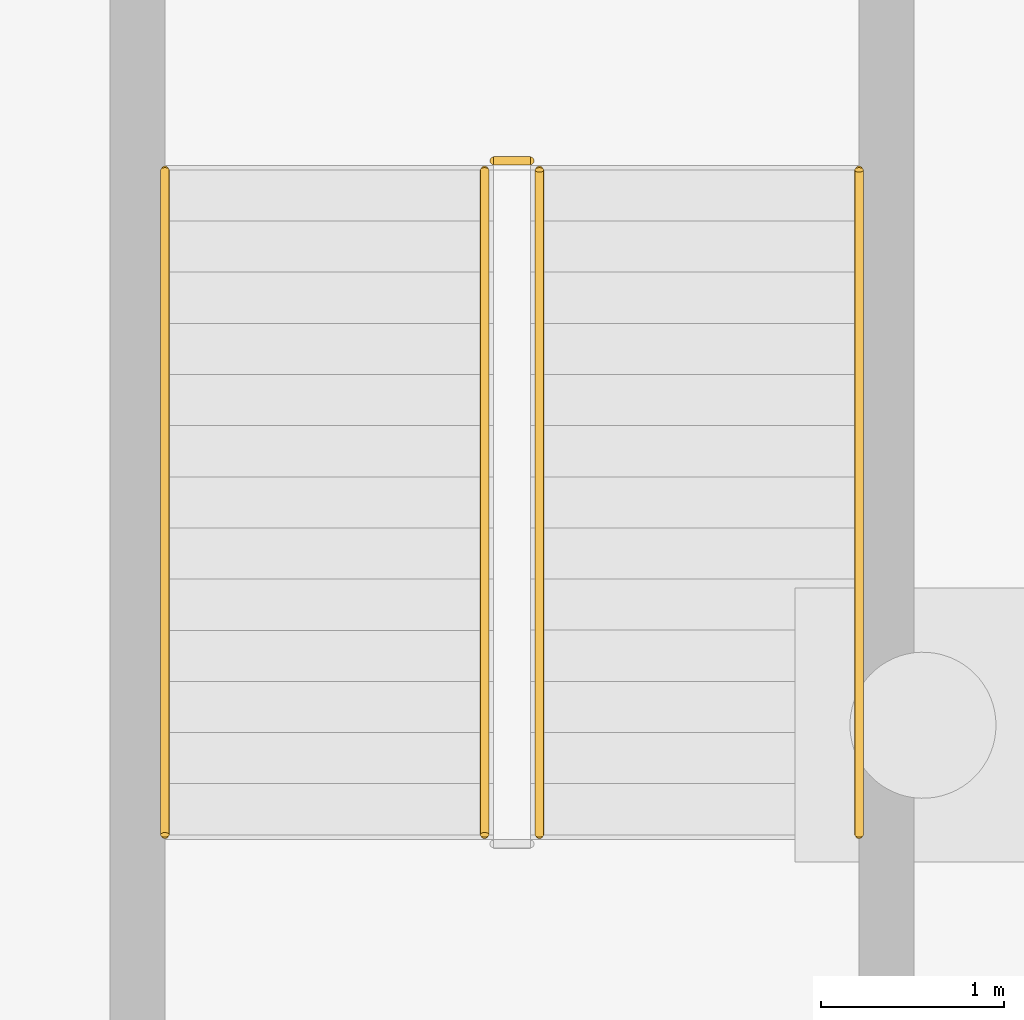
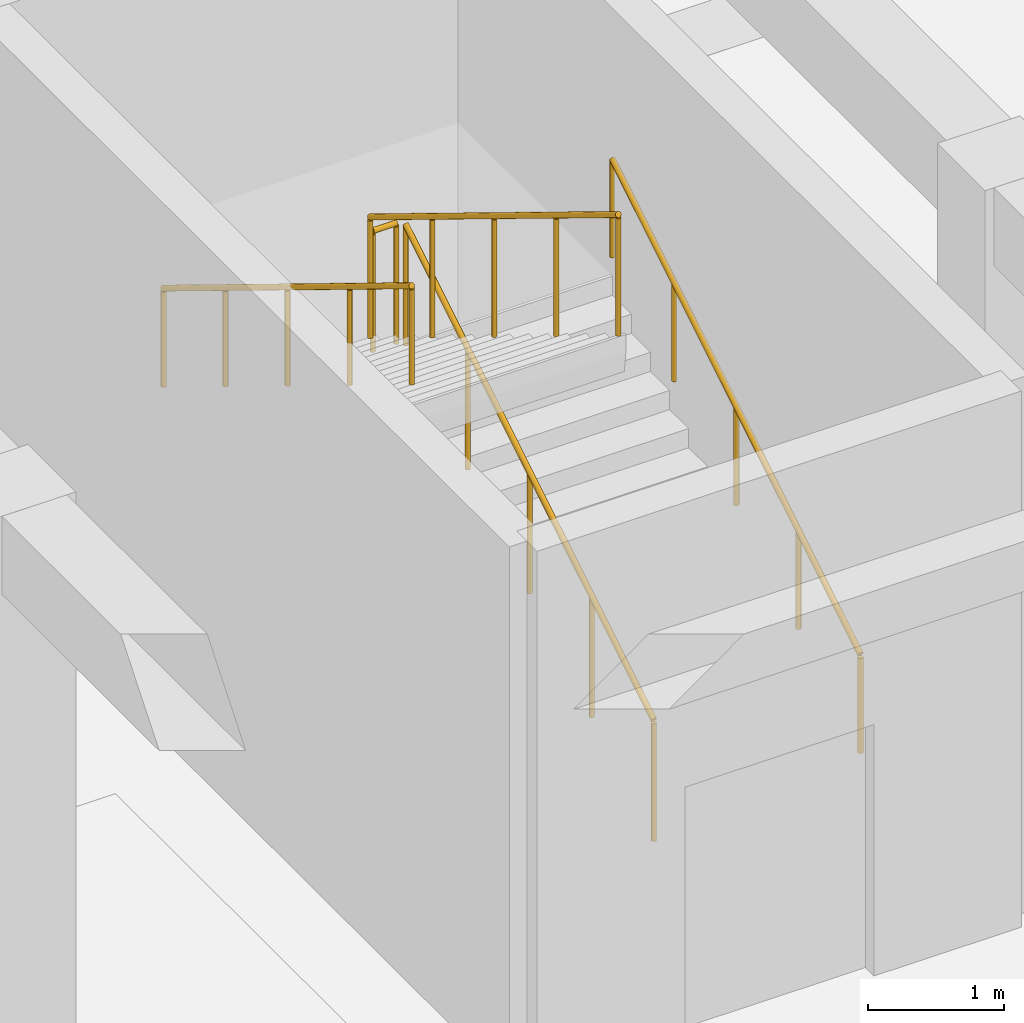
# One storey, part 44 of 51: 5 railings.
"""IFC4 building model written with IfcOpenShell, lengths in metres."""

from ifc_helpers import new_model, si_unit, direction, frame, origin, origin_2d, place, context, subcontext, project, spatial, circle, extrude, material, type_object, element, save


model = new_model("IFC4")

# Units and contexts
model_context = context("Model", 3, precision=1e-05, world=origin(), true_north=direction((0.0, 1.0)))
body_context = subcontext(model_context, "Body", "Model", "MODEL_VIEW")
ifc_project = project(units=[si_unit("LENGTHUNIT", "METRE"), si_unit("AREAUNIT", "SQUARE_METRE"), si_unit("VOLUMEUNIT", "CUBIC_METRE"), si_unit("PLANEANGLEUNIT", "RADIAN"), si_unit("MASSUNIT", "GRAM", prefix="KILO")], contexts=[model_context])

# Site, building, storey
site_placement = place(None, origin())
site = spatial("IfcSite", under=ifc_project, at=site_placement, CompositionType="ELEMENT")
building_placement = place(site_placement, origin())
building = spatial("IfcBuilding", under=site, at=building_placement, Name="Varncliffe General Hospital", CompositionType="ELEMENT")
storey_placement = place(building_placement, frame((0.0, 0.0, -4.800048828125)))
storey = spatial("IfcBuildingStorey", under=building, at=storey_placement, Name="B1", CompositionType="ELEMENT", Elevation=-4.800048828125)

# Railings
ifc_material = material(Name="Powder-coated hospital steel guardrail and handrail", Category="steel")
railing_type_1 = type_object("IfcRailingType", Name="Stair and Ramp Handrail HR46", PredefinedType="HANDRAIL", material=ifc_material)
railing_1_placement = place(storey_placement, frame((74.050048828125, 90.60009765625, 0.346923828125)))
element("IfcRailing", 1, at=railing_1_placement, inside=storey, type_object=railing_type_1, Name="B1 ST12 stair handrail 1", PredefinedType="HANDRAIL", context=body_context, shape_type="SweptSolid", body=[
    extrude(circle(Radius=0.02392578125, at=origin_2d()), frame((0.0, 0.0, 0.8759765625), z_axis=(0.0, 0.852850264322, 0.5221555579), x_axis=(-1.0, 0.0, 0.0)), (0.0, 0.0, 1.0), 4.267822265625),
    extrude(circle(Radius=0.02099609375, at=origin_2d()), origin(), (0.0, 0.0, 1.0), 0.851806640625),
    extrude(circle(Radius=0.02099609375, at=origin_2d()), frame((0.0, 0.909912109375, 0.55712890625)), (0.0, 0.0, 1.0), 0.851806640625),
    extrude(circle(Radius=0.02099609375, at=origin_2d()), frame((0.0, 1.81982421875, 1.1142578125)), (0.0, 0.0, 1.0), 0.851806640625),
    extrude(circle(Radius=0.02099609375, at=origin_2d()), frame((0.0, 2.72998046875, 1.67138671875)), (0.0, 0.0, 1.0), 0.851806640625),
    extrude(circle(Radius=0.02099609375, at=origin_2d()), frame((0.0, 3.639892578125, 2.228515625)), (0.0, 0.0, 1.0), 0.851806640625),
])
railing_2_placement = place(storey_placement, frame((70.25, 94.239990234375, 2.746826171875)))
element("IfcRailing", 2, at=railing_2_placement, inside=storey, type_object=railing_type_1, Name="B1 ST12 stair handrail 2", PredefinedType="HANDRAIL", context=body_context, shape_type="SweptSolid", body=[
    extrude(circle(Radius=0.02392578125, at=origin_2d()), frame((0.0, 0.0, 0.8759765625), z_axis=(0.0, -0.852824790078, 0.522197163366), x_axis=(1.0, 0.0, 0.0)), (0.0, 0.0, 1.0), 4.26806640625),
    extrude(circle(Radius=0.02099609375, at=origin_2d()), origin(), (0.0, 0.0, 1.0), 0.851806640625),
    extrude(circle(Radius=0.02099609375, at=origin_2d()), frame((0.0, -0.909912109375, 0.55712890625)), (0.0, 0.0, 1.0), 0.851806640625),
    extrude(circle(Radius=0.02099609375, at=origin_2d()), frame((0.0, -1.81982421875, 1.1142578125)), (0.0, 0.0, 1.0), 0.851806640625),
    extrude(circle(Radius=0.02099609375, at=origin_2d()), frame((0.0, -2.72998046875, 1.671630859375)), (0.0, 0.0, 1.0), 0.851806640625),
    extrude(circle(Radius=0.02099609375, at=origin_2d()), frame((0.0, -3.639892578125, 2.228759765625)), (0.0, 0.0, 1.0), 0.851806640625),
])
railing_type_2 = type_object("IfcRailingType", Name="Stairwell Guardrail SG49", PredefinedType="GUARDRAIL", material=ifc_material)
railing_3_placement = place(storey_placement, frame((72.300048828125, 90.60009765625, 0.17138671875)))
element("IfcRailing", 3, at=railing_3_placement, inside=storey, type_object=railing_type_2, Name="B1 ST12 stair guard 1", PredefinedType="GUARDRAIL", context=body_context, shape_type="SweptSolid", body=[
    extrude(circle(Radius=0.02392578125, at=origin_2d()), frame((0.0, 0.0, 1.076171875), z_axis=(0.0, 0.852824790078, 0.522197163366), x_axis=(-1.0, 0.0, 0.0)), (0.0, 0.0, 1.0), 4.26806640625),
    extrude(circle(Radius=0.02099609375, at=origin_2d()), origin(), (0.0, 0.0, 1.0), 1.052001953125),
    extrude(circle(Radius=0.02099609375, at=origin_2d()), frame((0.0, 0.909912109375, 0.55712890625)), (0.0, 0.0, 1.0), 1.052001953125),
    extrude(circle(Radius=0.02099609375, at=origin_2d()), frame((0.0, 1.81982421875, 1.1142578125)), (0.0, 0.0, 1.0), 1.052001953125),
    extrude(circle(Radius=0.02099609375, at=origin_2d()), frame((0.0, 2.72998046875, 1.671630859375)), (0.0, 0.0, 1.0), 1.052001953125),
    extrude(circle(Radius=0.02099609375, at=origin_2d()), frame((0.0, 3.639892578125, 2.228759765625)), (0.0, 0.0, 1.0), 1.052001953125),
])
railing_4_placement = place(storey_placement, frame((72.25, 94.2900390625, 2.400146484375)))
element("IfcRailing", 4, at=railing_4_placement, inside=storey, type_object=railing_type_2, Name="B1 ST12 stair guard 2", PredefinedType="GUARDRAIL", context=body_context, shape_type="SweptSolid", body=[
    extrude(circle(Radius=0.02392578125, at=origin_2d()), frame((0.0, 0.0, 1.076171875), z_axis=(-1.0, 0.0, 0.0), x_axis=(0.0, -1.0, 0.0)), (0.0, 0.0, 1.0), 0.199951171875),
    extrude(circle(Radius=0.02099609375, at=origin_2d()), origin(), (0.0, 0.0, 1.0), 1.052001953125),
    extrude(circle(Radius=0.02099609375, at=origin_2d()), frame((-0.199951171875, 0.0, 0.0)), (0.0, 0.0, 1.0), 1.052001953125),
])
railing_5_placement = place(storey_placement, frame((72.0, 94.239990234375, 2.571533203125)))
element("IfcRailing", 5, at=railing_5_placement, inside=storey, type_object=railing_type_2, Name="B1 ST12 stair guard 3", PredefinedType="GUARDRAIL", context=body_context, shape_type="SweptSolid", body=[
    extrude(circle(Radius=0.02392578125, at=origin_2d()), frame((0.0, 0.0, 1.076171875), z_axis=(0.0, -0.852850264322, 0.5221555579), x_axis=(1.0, 0.0, 0.0)), (0.0, 0.0, 1.0), 4.267822265625),
    extrude(circle(Radius=0.02099609375, at=origin_2d()), origin(), (0.0, 0.0, 1.0), 1.052001953125),
    extrude(circle(Radius=0.02099609375, at=origin_2d()), frame((0.0, -0.909912109375, 0.55712890625)), (0.0, 0.0, 1.0), 1.052001953125),
    extrude(circle(Radius=0.02099609375, at=origin_2d()), frame((0.0, -1.81982421875, 1.1142578125)), (0.0, 0.0, 1.0), 1.052001953125),
    extrude(circle(Radius=0.02099609375, at=origin_2d()), frame((0.0, -2.72998046875, 1.67138671875)), (0.0, 0.0, 1.0), 1.052001953125),
    extrude(circle(Radius=0.02099609375, at=origin_2d()), frame((0.0, -3.639892578125, 2.228515625)), (0.0, 0.0, 1.0), 1.052001953125),
])

save(model, "model.ifc")
